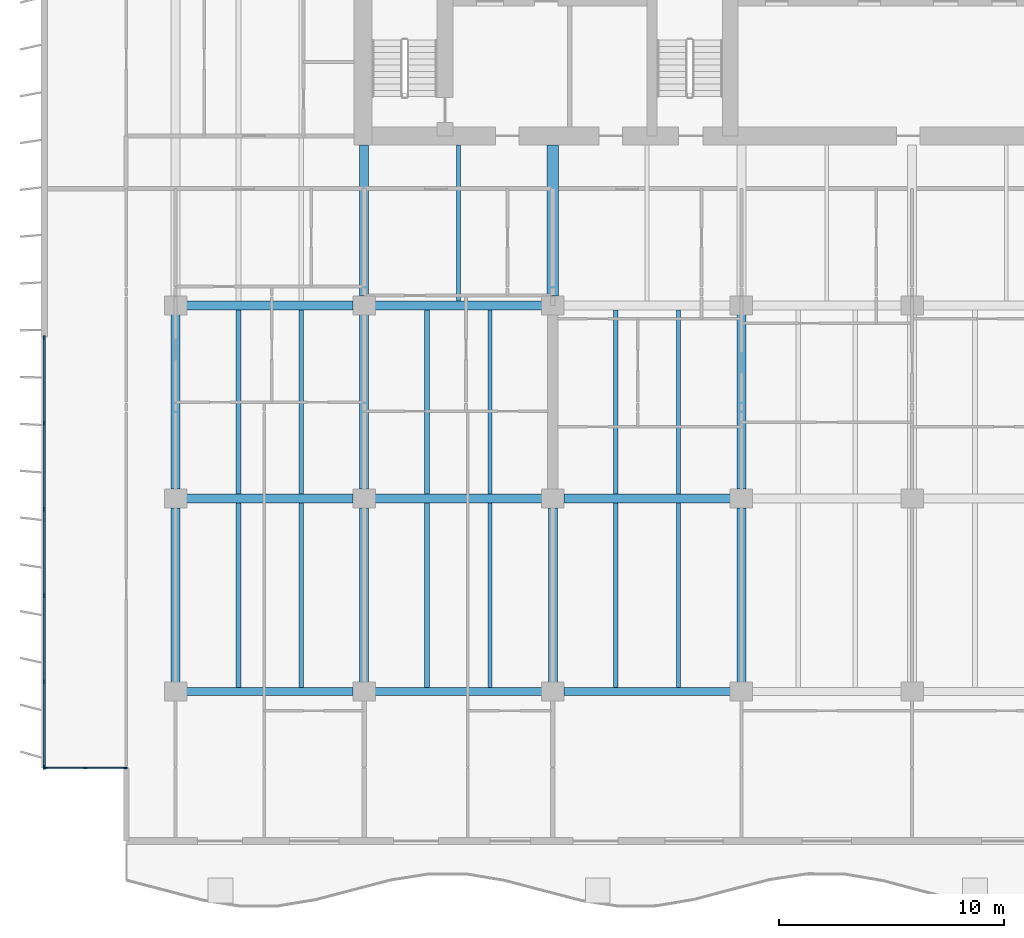
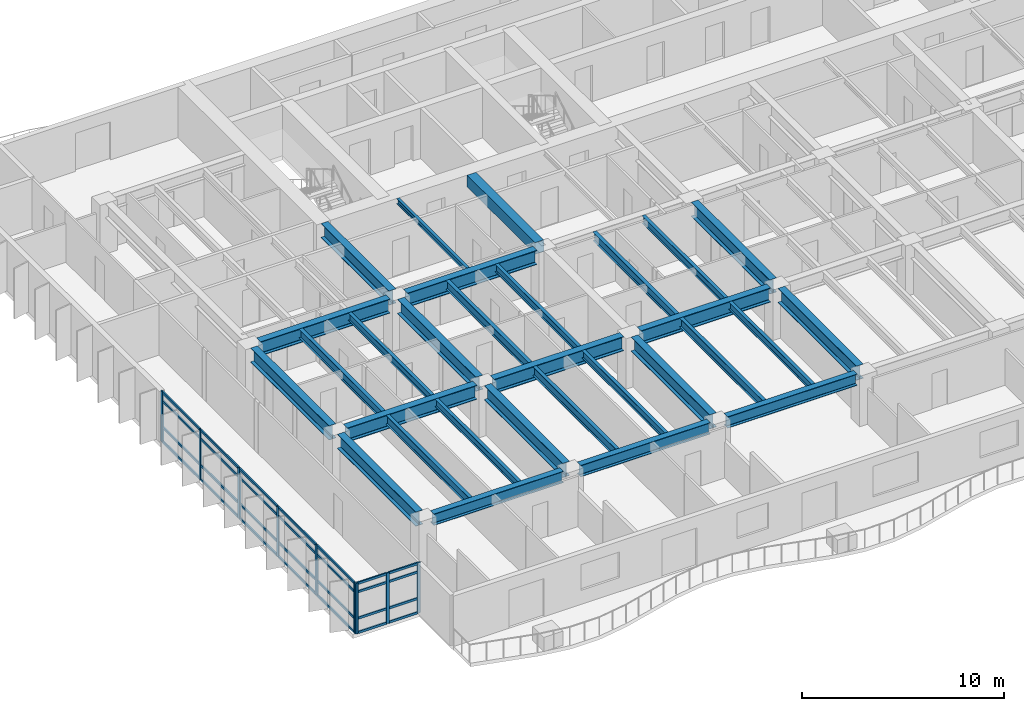
# One storey, part 2 of 17: 37 members, 30 beams, 2 elements without a shape of their own.
"""IFC4 building model written with IfcOpenShell, lengths in metres."""

from ifc_helpers import new_model, si_unit, direction, frame, origin, origin_2d, place, context, subcontext, project, spatial, rectangle, i_section, extrude, material, layer, layer_set, material_profile, profile_set, type_object, element, aggregate, save


model = new_model("IFC4")

# Units and contexts
model_context = context("Model", 3, precision=1e-05, world=origin(), true_north=direction((0.0, 1.0)))
body_context = subcontext(model_context, "Body", "Model", "MODEL_VIEW")
ifc_project = project(units=[si_unit("LENGTHUNIT", "METRE"), si_unit("AREAUNIT", "SQUARE_METRE"), si_unit("VOLUMEUNIT", "CUBIC_METRE"), si_unit("PLANEANGLEUNIT", "RADIAN"), si_unit("MASSUNIT", "GRAM", prefix="KILO")], contexts=[model_context])

# Site, building, storey
site_placement = place(None, origin())
site = spatial("IfcSite", under=ifc_project, at=site_placement, CompositionType="ELEMENT")
building_placement = place(site_placement, origin())
building = spatial("IfcBuilding", under=site, at=building_placement, Name="Caelmar Bay Residences", CompositionType="ELEMENT")
storey_placement = place(building_placement, frame((0.0, 0.0, 105.89990234375)))
storey = spatial("IfcBuildingStorey", under=building, at=storey_placement, Name="L28", CompositionType="ELEMENT", Elevation=105.89990234375)

# Beams
ifc_material_1 = material(Name="Steel ASTM A992 Grade 50", Category="steel")
ifc_material_profile_1 = material_profile(ifc_material_1, i_section(OverallWidth=0.40087890625, OverallDepth=0.861083984375, WebThickness=0.019775390625, FlangeThickness=0.032470703125, FilletRadius=0.017822265625, at=origin_2d()), Name="W33X221")
ifc_profile_set_1 = profile_set([ifc_material_profile_1], Name="Steel ASTM A992 Grade 50")
beam_type_1 = type_object("IfcBeamType", Name="BM-GRD-W33X221", PredefinedType="BEAM", material=ifc_profile_set_1)
beam_1_placement = place(storey_placement, frame((10.389892578125, 20.800048828125, 2.61962890625), z_axis=(1.0, 0.0, 0.0), x_axis=(0.0, 1.0, 0.0)))
element("IfcBeam", 1, at=beam_1_placement, inside=storey, type_object=beam_type_1, Name="L28 East-West Girder Y=20.80 (9.9-18.3)", PredefinedType="BEAM", context=body_context, shape_type="SweptSolid", body=[
    extrude(i_section(OverallWidth=0.40087890625, OverallDepth=0.861083984375, WebThickness=0.019775390625, FlangeThickness=0.032470703125, FilletRadius=0.017822265625, at=origin_2d()), origin(), (0.0, 0.0, 1.0), 7.420166015625),
])
beam_2_placement = place(storey_placement, frame((18.7900390625, 20.800048828125, 2.61962890625), z_axis=(1.0, 0.0, 0.0), x_axis=(0.0, 1.0, 0.0)))
element("IfcBeam", 2, at=beam_2_placement, inside=storey, type_object=beam_type_1, Name="L28 East-West Girder Y=20.80 (18.3-26.7)", PredefinedType="BEAM", context=body_context, shape_type="SweptSolid", body=[
    extrude(i_section(OverallWidth=0.40087890625, OverallDepth=0.861083984375, WebThickness=0.019775390625, FlangeThickness=0.032470703125, FilletRadius=0.017822265625, at=origin_2d()), origin(), (0.0, 0.0, 1.0), 7.419921875),
])
for number, where, z_axis, x_axis, name in (
    (3, (27.18994140625, 20.800048828125, 2.61962890625), (1.0, 0.0, 0.0), (0.0, 1.0, 0.0), "L28 East-West Girder Y=20.80 (26.7-35.1)"),
    (4, (10.389892578125, 29.39990234375, 2.61962890625), (1.0, 0.0, 0.0), (0.0, 1.0, 0.0), "L28 East-West Girder Y=29.40 (9.9-18.3)"),
):
    element("IfcBeam", number, at=place(storey_placement, frame(where, z_axis=z_axis, x_axis=x_axis)), inside=storey, type_object=beam_type_1, Name=name, PredefinedType="BEAM", context=body_context, shape_type="SweptSolid", body=[
        extrude(i_section(OverallWidth=0.40087890625, OverallDepth=0.861083984375, WebThickness=0.019775390625, FlangeThickness=0.032470703125, FilletRadius=0.017822265625, at=origin_2d()), origin(), (0.0, 0.0, 1.0), 7.420166015625),
    ])
beam_3_placement = place(storey_placement, frame((18.7900390625, 29.39990234375, 2.61962890625), z_axis=(1.0, 0.0, 0.0), x_axis=(0.0, 1.0, 0.0)))
element("IfcBeam", 5, at=beam_3_placement, inside=storey, type_object=beam_type_1, Name="L28 East-West Girder Y=29.40 (18.3-26.7)", PredefinedType="BEAM", context=body_context, shape_type="SweptSolid", body=[
    extrude(i_section(OverallWidth=0.40087890625, OverallDepth=0.861083984375, WebThickness=0.019775390625, FlangeThickness=0.032470703125, FilletRadius=0.017822265625, at=origin_2d()), origin(), (0.0, 0.0, 1.0), 7.419921875),
])
for number, where, z_axis, x_axis, name in (
    (6, (9.89990234375, 12.614990234375, 2.61962890625), (0.0, 1.0, 0.0), (-1.0, 0.0, 0.0), "L28 North-South Girder X=9.90 (12.2-20.8)"),
    (7, (9.89990234375, 21.215087890625, 2.61962890625), (0.0, 1.0, 0.0), (-1.0, 0.0, 0.0), "L28 North-South Girder X=9.90 (20.8-29.4)"),
):
    element("IfcBeam", number, at=place(storey_placement, frame(where, z_axis=z_axis, x_axis=x_axis)), inside=storey, type_object=beam_type_1, Name=name, PredefinedType="BEAM", context=body_context, shape_type="SweptSolid", body=[
        extrude(i_section(OverallWidth=0.40087890625, OverallDepth=0.861083984375, WebThickness=0.019775390625, FlangeThickness=0.032470703125, FilletRadius=0.017822265625, at=origin_2d()), origin(), (0.0, 0.0, 1.0), 7.77001953125),
    ])
beam_4_placement = place(storey_placement, frame((18.300048828125, 29.81494140625, 2.61962890625), z_axis=(0.0, 1.0, 0.0), x_axis=(-1.0, 0.0, 0.0)))
element("IfcBeam", 8, at=beam_4_placement, inside=storey, type_object=beam_type_1, Name="L28 Core Tie Girder X=18.30", PredefinedType="BEAM", context=body_context, shape_type="SweptSolid", body=[
    extrude(i_section(OverallWidth=0.40087890625, OverallDepth=0.861083984375, WebThickness=0.019775390625, FlangeThickness=0.032470703125, FilletRadius=0.017822265625, at=origin_2d()), origin(), (0.0, 0.0, 1.0), 6.735107421875),
])
for number, where, z_axis, x_axis, name in (
    (9, (18.300048828125, 12.614990234375, 2.61962890625), (0.0, 1.0, 0.0), (-1.0, 0.0, 0.0), "L28 North-South Girder X=18.30 (12.2-20.8)"),
    (10, (18.300048828125, 21.215087890625, 2.61962890625), (0.0, 1.0, 0.0), (-1.0, 0.0, 0.0), "L28 North-South Girder X=18.30 (20.8-29.4)"),
    (11, (26.699951171875, 12.614990234375, 2.61962890625), (0.0, 1.0, 0.0), (-1.0, 0.0, 0.0), "L28 North-South Girder X=26.70 (12.2-20.8)"),
    (12, (35.10009765625, 12.614990234375, 2.61962890625), (0.0, 1.0, 0.0), (-1.0, 0.0, 0.0), "L28 North-South Girder X=35.10 (12.2-20.8)"),
    (13, (35.10009765625, 21.215087890625, 2.61962890625), (0.0, 1.0, 0.0), (-1.0, 0.0, 0.0), "L28 North-South Girder X=35.10 (20.8-29.4)"),
):
    element("IfcBeam", number, at=place(storey_placement, frame(where, z_axis=z_axis, x_axis=x_axis)), inside=storey, type_object=beam_type_1, Name=name, PredefinedType="BEAM", context=body_context, shape_type="SweptSolid", body=[
        extrude(i_section(OverallWidth=0.40087890625, OverallDepth=0.861083984375, WebThickness=0.019775390625, FlangeThickness=0.032470703125, FilletRadius=0.017822265625, at=origin_2d()), origin(), (0.0, 0.0, 1.0), 7.77001953125),
    ])
ifc_material_profile_2 = material_profile(ifc_material_1, i_section(OverallWidth=0.1650390625, OverallDepth=0.31005859375, WebThickness=0.005859375, FlangeThickness=0.009765625, FilletRadius=0.007568359375, at=origin_2d()), Name="W12X26")
ifc_profile_set_2 = profile_set([ifc_material_profile_2], Name="Steel ASTM A992 Grade 50")
beam_type_2 = type_object("IfcBeamType", Name="BM-JST-W12X26", PredefinedType="JOIST", material=ifc_profile_set_2)
beam_5_placement = place(storey_placement, frame((22.5, 29.6005859375, 2.89501953125), z_axis=(0.0, 1.0, 0.0), x_axis=(-1.0, 0.0, 0.0)))
element("IfcBeam", 14, at=beam_5_placement, inside=storey, type_object=beam_type_2, Name="L28 Core-Band Composite Joist 29", PredefinedType="JOIST", context=body_context, shape_type="SweptSolid", body=[
    extrude(i_section(OverallWidth=0.1650390625, OverallDepth=0.31005859375, WebThickness=0.005859375, FlangeThickness=0.009765625, FilletRadius=0.007568359375, at=origin_2d()), origin(), (0.0, 0.0, 1.0), 6.949462890625),
])
ifc_material_profile_3 = material_profile(ifc_material_1, i_section(OverallWidth=0.19091796875, OverallDepth=0.45703125, WebThickness=0.009033203125, FlangeThickness=0.014404296875, FilletRadius=0.01025390625, at=origin_2d()), Name="W18X50")
ifc_profile_set_3 = profile_set([ifc_material_profile_3], Name="Steel ASTM A992 Grade 50")
beam_type_3 = type_object("IfcBeamType", Name="BM-JST-W18X50", PredefinedType="JOIST", material=ifc_profile_set_3)
for number, where, z_axis, x_axis, name in (
    (15, (15.5, 12.3779296875, 2.821533203125), (0.0, 1.0, 0.0), (-1.0, 0.0, 0.0), "L28 Composite Floor Joist 2"),
    (16, (23.89990234375, 12.3779296875, 2.821533203125), (0.0, 1.0, 0.0), (-1.0, 0.0, 0.0), "L28 Composite Floor Joist 4"),
    (17, (32.300048828125, 12.3779296875, 2.821533203125), (0.0, 1.0, 0.0), (-1.0, 0.0, 0.0), "L28 Composite Floor Joist 6"),
):
    element("IfcBeam", number, at=place(storey_placement, frame(where, z_axis=z_axis, x_axis=x_axis)), inside=storey, type_object=beam_type_3, Name=name, PredefinedType="JOIST", context=body_context, shape_type="SweptSolid", body=[
        extrude(i_section(OverallWidth=0.19091796875, OverallDepth=0.45703125, WebThickness=0.009033203125, FlangeThickness=0.014404296875, FilletRadius=0.01025390625, at=origin_2d()), origin(), (0.0, 0.0, 1.0), 8.2216796875),
    ])
for number, where, z_axis, x_axis, name in (
    (18, (15.5, 21.00048828125, 2.821533203125), (0.0, 1.0, 0.0), (-1.0, 0.0, 0.0), "L28 Composite Floor Joist 16"),
    (19, (23.89990234375, 21.00048828125, 2.821533203125), (0.0, 1.0, 0.0), (-1.0, 0.0, 0.0), "L28 Composite Floor Joist 18"),
    (20, (32.300048828125, 21.00048828125, 2.821533203125), (0.0, 1.0, 0.0), (-1.0, 0.0, 0.0), "L28 Composite Floor Joist 20"),
):
    element("IfcBeam", number, at=place(storey_placement, frame(where, z_axis=z_axis, x_axis=x_axis)), inside=storey, type_object=beam_type_3, Name=name, PredefinedType="JOIST", context=body_context, shape_type="SweptSolid", body=[
        extrude(i_section(OverallWidth=0.19091796875, OverallDepth=0.45703125, WebThickness=0.009033203125, FlangeThickness=0.014404296875, FilletRadius=0.01025390625, at=origin_2d()), origin(), (0.0, 0.0, 1.0), 8.198974609375),
    ])
ifc_material_profile_4 = material_profile(ifc_material_1, i_section(OverallWidth=0.2099609375, OverallDepth=0.535888671875, WebThickness=0.010986328125, FlangeThickness=0.017333984375, FilletRadius=0.0126953125, at=origin_2d()), Name="W21X68")
ifc_profile_set_4 = profile_set([ifc_material_profile_4], Name="Steel ASTM A992 Grade 50")
beam_type_4 = type_object("IfcBeamType", Name="BM-JST-W21X68", PredefinedType="JOIST", material=ifc_profile_set_4)
for number, where, z_axis, x_axis, name in (
    (21, (12.699951171875, 12.3779296875, 2.781982421875), (0.0, 1.0, 0.0), (-1.0, 0.0, 0.0), "L28 Composite Floor Joist 1"),
    (22, (21.10009765625, 12.3779296875, 2.781982421875), (0.0, 1.0, 0.0), (-1.0, 0.0, 0.0), "L28 Composite Floor Joist 3"),
    (23, (29.5, 12.3779296875, 2.781982421875), (0.0, 1.0, 0.0), (-1.0, 0.0, 0.0), "L28 Composite Floor Joist 5"),
):
    element("IfcBeam", number, at=place(storey_placement, frame(where, z_axis=z_axis, x_axis=x_axis)), inside=storey, type_object=beam_type_4, Name=name, PredefinedType="JOIST", context=body_context, shape_type="SweptSolid", body=[
        extrude(i_section(OverallWidth=0.2099609375, OverallDepth=0.535888671875, WebThickness=0.010986328125, FlangeThickness=0.017333984375, FilletRadius=0.0126953125, at=origin_2d()), origin(), (0.0, 0.0, 1.0), 8.2216796875),
    ])
for number, where, z_axis, x_axis, name in (
    (24, (12.699951171875, 21.00048828125, 2.781982421875), (0.0, 1.0, 0.0), (-1.0, 0.0, 0.0), "L28 Composite Floor Joist 15"),
    (25, (21.10009765625, 21.00048828125, 2.781982421875), (0.0, 1.0, 0.0), (-1.0, 0.0, 0.0), "L28 Composite Floor Joist 17"),
    (26, (29.5, 21.00048828125, 2.781982421875), (0.0, 1.0, 0.0), (-1.0, 0.0, 0.0), "L28 Composite Floor Joist 19"),
):
    element("IfcBeam", number, at=place(storey_placement, frame(where, z_axis=z_axis, x_axis=x_axis)), inside=storey, type_object=beam_type_4, Name=name, PredefinedType="JOIST", context=body_context, shape_type="SweptSolid", body=[
        extrude(i_section(OverallWidth=0.2099609375, OverallDepth=0.535888671875, WebThickness=0.010986328125, FlangeThickness=0.017333984375, FilletRadius=0.0126953125, at=origin_2d()), origin(), (0.0, 0.0, 1.0), 8.198974609375),
    ])
ifc_material_2 = material(Name="Concrete f'c 55 MPa (8,000 psi)", Category="concrete")
ifc_material_profile_5 = material_profile(ifc_material_2, rectangle(XDim=0.5, YDim=0.699951171875, at=origin_2d()), Name="RC-BM-500X700")
ifc_profile_set_5 = profile_set([ifc_material_profile_5], Name="Concrete f'c 55 MPa (8,000 psi)")
beam_type_5 = type_object("IfcBeamType", Name="BM-RC-500X700", PredefinedType="LINTEL", material=ifc_profile_set_5)
beam_6_placement = place(storey_placement, frame((26.699951171875, 29.81494140625, 2.7001953125), z_axis=(0.0, 1.0, 0.0), x_axis=(-1.0, 0.0, 0.0)))
element("IfcBeam", 27, at=beam_6_placement, inside=storey, type_object=beam_type_5, Name="L28 Shear-Wall Corridor Coupling Lintel W5", PredefinedType="LINTEL", context=body_context, shape_type="SweptSolid", body=[
    extrude(rectangle(XDim=0.5, YDim=0.699951171875, at=origin_2d()), origin(), (0.0, 0.0, 1.0), 6.735107421875),
])
ifc_material_profile_6 = material_profile(ifc_material_1, i_section(OverallWidth=0.35595703125, OverallDepth=0.696044921875, WebThickness=0.015380859375, FlangeThickness=0.02490234375, FilletRadius=0.01513671875, at=origin_2d()), Name="W27X146")
ifc_profile_set_6 = profile_set([ifc_material_profile_6], Name="Steel ASTM A992 Grade 50")
beam_type_6 = type_object("IfcBeamType", Name="BM-SPN-W27X146", PredefinedType="SPANDREL", material=ifc_profile_set_6)
beam_7_placement = place(storey_placement, frame((10.389892578125, 12.199951171875, 2.7021484375), z_axis=(1.0, 0.0, 0.0), x_axis=(0.0, 1.0, 0.0)))
element("IfcBeam", 28, at=beam_7_placement, inside=storey, type_object=beam_type_6, Name="L28 East-West Girder Y=12.20 (9.9-18.3)", PredefinedType="SPANDREL", context=body_context, shape_type="SweptSolid", body=[
    extrude(i_section(OverallWidth=0.35595703125, OverallDepth=0.696044921875, WebThickness=0.015380859375, FlangeThickness=0.02490234375, FilletRadius=0.01513671875, at=origin_2d()), origin(), (0.0, 0.0, 1.0), 7.420166015625),
])
beam_8_placement = place(storey_placement, frame((18.7900390625, 12.199951171875, 2.7021484375), z_axis=(1.0, 0.0, 0.0), x_axis=(0.0, 1.0, 0.0)))
element("IfcBeam", 29, at=beam_8_placement, inside=storey, type_object=beam_type_6, Name="L28 East-West Girder Y=12.20 (18.3-26.7)", PredefinedType="SPANDREL", context=body_context, shape_type="SweptSolid", body=[
    extrude(i_section(OverallWidth=0.35595703125, OverallDepth=0.696044921875, WebThickness=0.015380859375, FlangeThickness=0.02490234375, FilletRadius=0.01513671875, at=origin_2d()), origin(), (0.0, 0.0, 1.0), 7.419921875),
])
beam_9_placement = place(storey_placement, frame((27.18994140625, 12.199951171875, 2.7021484375), z_axis=(1.0, 0.0, 0.0), x_axis=(0.0, 1.0, 0.0)))
element("IfcBeam", 30, at=beam_9_placement, inside=storey, type_object=beam_type_6, Name="L28 East-West Girder Y=12.20 (26.7-35.1)", PredefinedType="SPANDREL", context=body_context, shape_type="SweptSolid", body=[
    extrude(i_section(OverallWidth=0.35595703125, OverallDepth=0.696044921875, WebThickness=0.015380859375, FlangeThickness=0.02490234375, FilletRadius=0.01513671875, at=origin_2d()), origin(), (0.0, 0.0, 1.0), 7.420166015625),
])

# Curtain wall, members
ifc_material_3 = material(Name="Anodised bronze aluminium 6063-T6 and laminated glass", Category="aluminium")
ifc_layer_1 = layer(ifc_material_3, 0.179931640625)
ifc_layer_set_1 = layer_set([ifc_layer_1], Name="Anodised bronze aluminium 6063-T6 and laminated glass")
curtain_wall_type_1 = type_object("IfcCurtainWallType", Name="CW6-NTC", PredefinedType="NOTDEFINED", material=ifc_layer_set_1)
curtain_wall_1_placement = place(storey_placement, origin())
curtain_wall_1 = element("IfcCurtainWall", 31, at=curtain_wall_1_placement, inside=storey, type_object=curtain_wall_type_1, Name="CW6 curtain wall L28", PredefinedType="NOTDEFINED")
ifc_material_4 = material(Name="Anodised bronze aluminium 6063-T6", Category="aluminium")
ifc_material_profile_7 = material_profile(ifc_material_4, rectangle(XDim=0.080078125, YDim=0.179931640625, at=origin_2d()), Name="CWM-80X180")
ifc_profile_set_7 = profile_set([ifc_material_profile_7], Name="Anodised bronze aluminium 6063-T6")
member_type_1 = type_object("IfcMemberType", Name="CWM-180", PredefinedType="MULLION", material=ifc_profile_set_7)
member_1_placement = place(storey_placement, frame((4.090087890625, 8.800048828125, 0.0), z_axis=(0.0, 0.0, 1.0), x_axis=(0.0, 1.0, 0.0)))
member_1 = element("IfcMember", 32, at=member_1_placement, type_object=member_type_1, Name="CW6 mullion 1", PredefinedType="MULLION", context=body_context, shape_type="SweptSolid", body=[
    extrude(rectangle(XDim=0.080078125, YDim=0.179931640625, at=origin_2d()), origin(), (0.0, 0.0, 1.0), 3.050048828125),
])
member_2_placement = place(storey_placement, frame((5.875, 8.800048828125, 0.0), z_axis=(0.0, 0.0, 1.0), x_axis=(0.0, 1.0, 0.0)))
member_2 = element("IfcMember", 33, at=member_2_placement, type_object=member_type_1, Name="CW6 mullion 2", PredefinedType="MULLION", context=body_context, shape_type="SweptSolid", body=[
    extrude(rectangle(XDim=0.080078125, YDim=0.179931640625, at=origin_2d()), origin(), (0.0, 0.0, 1.0), 3.050048828125),
])
member_3_placement = place(storey_placement, frame((7.659912109375, 8.800048828125, 0.0), z_axis=(0.0, 0.0, 1.0), x_axis=(0.0, 1.0, 0.0)))
member_3 = element("IfcMember", 34, at=member_3_placement, type_object=member_type_1, Name="CW6 mullion 3", PredefinedType="MULLION", context=body_context, shape_type="SweptSolid", body=[
    extrude(rectangle(XDim=0.080078125, YDim=0.179931640625, at=origin_2d()), origin(), (0.0, 0.0, 1.0), 3.050048828125),
])

ifc_layer_2 = layer(ifc_material_3, 0.179931640625)
ifc_layer_set_2 = layer_set([ifc_layer_2], Name="Anodised bronze aluminium 6063-T6 and laminated glass")
curtain_wall_type_2 = type_object("IfcCurtainWallType", Name="CW3-Z2", PredefinedType="NOTDEFINED", material=ifc_layer_set_2)
curtain_wall_2_placement = place(storey_placement, origin())
curtain_wall_2 = element("IfcCurtainWall", 35, at=curtain_wall_2_placement, inside=storey, type_object=curtain_wall_type_2, Name="CW3 curtain wall L28", PredefinedType="NOTDEFINED")
member_4_placement = place(storey_placement, frame((4.050048828125, 8.840087890625, 0.0), z_axis=(0.0, 0.0, 1.0), x_axis=(-1.0, 0.0, 0.0)))
member_4 = element("IfcMember", 36, at=member_4_placement, type_object=member_type_1, Name="CW3 mullion 1", PredefinedType="MULLION", context=body_context, shape_type="SweptSolid", body=[
    extrude(rectangle(XDim=0.080078125, YDim=0.179931640625, at=origin_2d()), origin(), (0.0, 0.0, 1.0), 3.050048828125),
])
member_5_placement = place(storey_placement, frame((4.050048828125, 12.639892578125, 0.0), z_axis=(0.0, 0.0, 1.0), x_axis=(-1.0, 0.0, 0.0)))
member_5 = element("IfcMember", 37, at=member_5_placement, type_object=member_type_1, Name="CW3 mullion 2", PredefinedType="MULLION", context=body_context, shape_type="SweptSolid", body=[
    extrude(rectangle(XDim=0.080078125, YDim=0.179931640625, at=origin_2d()), origin(), (0.0, 0.0, 1.0), 3.050048828125),
])
member_6_placement = place(storey_placement, frame((4.050048828125, 16.47998046875, 0.0), z_axis=(0.0, 0.0, 1.0), x_axis=(-1.0, 0.0, 0.0)))
member_6 = element("IfcMember", 38, at=member_6_placement, type_object=member_type_1, Name="CW3 mullion 3", PredefinedType="MULLION", context=body_context, shape_type="SweptSolid", body=[
    extrude(rectangle(XDim=0.080078125, YDim=0.179931640625, at=origin_2d()), origin(), (0.0, 0.0, 1.0), 3.050048828125),
])
member_7_placement = place(storey_placement, frame((4.050048828125, 20.320068359375, 0.0), z_axis=(0.0, 0.0, 1.0), x_axis=(-1.0, 0.0, 0.0)))
member_7 = element("IfcMember", 39, at=member_7_placement, type_object=member_type_1, Name="CW3 mullion 4", PredefinedType="MULLION", context=body_context, shape_type="SweptSolid", body=[
    extrude(rectangle(XDim=0.080078125, YDim=0.179931640625, at=origin_2d()), origin(), (0.0, 0.0, 1.0), 3.050048828125),
])
member_8_placement = place(storey_placement, frame((4.050048828125, 24.159912109375, 0.0), z_axis=(0.0, 0.0, 1.0), x_axis=(-1.0, 0.0, 0.0)))
member_8 = element("IfcMember", 40, at=member_8_placement, type_object=member_type_1, Name="CW3 mullion 5", PredefinedType="MULLION", context=body_context, shape_type="SweptSolid", body=[
    extrude(rectangle(XDim=0.080078125, YDim=0.179931640625, at=origin_2d()), origin(), (0.0, 0.0, 1.0), 3.050048828125),
])
member_9_placement = place(storey_placement, frame((4.050048828125, 27.9599609375, 0.0), z_axis=(0.0, 0.0, 1.0), x_axis=(-1.0, 0.0, 0.0)))
member_9 = element("IfcMember", 41, at=member_9_placement, type_object=member_type_1, Name="CW3 mullion 6", PredefinedType="MULLION", context=body_context, shape_type="SweptSolid", body=[
    extrude(rectangle(XDim=0.080078125, YDim=0.179931640625, at=origin_2d()), origin(), (0.0, 0.0, 1.0), 3.050048828125),
])

# Member
ifc_material_profile_8 = material_profile(ifc_material_4, rectangle(XDim=0.080078125, YDim=0.139892578125, at=origin_2d()), Name="CWT-80X140")
ifc_profile_set_8 = profile_set([ifc_material_profile_8], Name="Anodised bronze aluminium 6063-T6")
member_type_2 = type_object("IfcMemberType", Name="CWT-140", PredefinedType="NOTDEFINED", material=ifc_profile_set_8)
member_10_placement = place(storey_placement, frame((4.1298828125, 8.800048828125, 0.0400390625), z_axis=(1.0, 0.0, 0.0), x_axis=(0.0, 1.0, 0.0)))
member_10 = element("IfcMember", 42, at=member_10_placement, type_object=member_type_2, Name="CW6 transom 1.1", ObjectType="TRANSOM", PredefinedType="USERDEFINED", context=body_context, shape_type="SweptSolid", body=[
    extrude(rectangle(XDim=0.080078125, YDim=0.139892578125, at=origin_2d()), origin(), (0.0, 0.0, 1.0), 1.705078125),
])

member_11_placement = place(storey_placement, frame((4.1298828125, 8.800048828125, 0.900146484375), z_axis=(1.0, 0.0, 0.0), x_axis=(0.0, 1.0, 0.0)))
member_11 = element("IfcMember", 43, at=member_11_placement, type_object=member_type_2, Name="CW6 transom 1.2", ObjectType="TRANSOM", PredefinedType="USERDEFINED", context=body_context, shape_type="SweptSolid", body=[
    extrude(rectangle(XDim=0.080078125, YDim=0.139892578125, at=origin_2d()), origin(), (0.0, 0.0, 1.0), 1.705078125),
])

member_12_placement = place(storey_placement, frame((4.1298828125, 8.800048828125, 2.5), z_axis=(1.0, 0.0, 0.0), x_axis=(0.0, 1.0, 0.0)))
member_12 = element("IfcMember", 44, at=member_12_placement, type_object=member_type_2, Name="CW6 transom 1.3", ObjectType="TRANSOM", PredefinedType="USERDEFINED", context=body_context, shape_type="SweptSolid", body=[
    extrude(rectangle(XDim=0.080078125, YDim=0.139892578125, at=origin_2d()), origin(), (0.0, 0.0, 1.0), 1.705078125),
])

member_13_placement = place(storey_placement, frame((4.1298828125, 8.800048828125, 3.010009765625), z_axis=(1.0, 0.0, 0.0), x_axis=(0.0, 1.0, 0.0)))
member_13 = element("IfcMember", 45, at=member_13_placement, type_object=member_type_2, Name="CW6 transom 1.4", ObjectType="TRANSOM", PredefinedType="USERDEFINED", context=body_context, shape_type="SweptSolid", body=[
    extrude(rectangle(XDim=0.080078125, YDim=0.139892578125, at=origin_2d()), origin(), (0.0, 0.0, 1.0), 1.705078125),
])

member_14_placement = place(storey_placement, frame((5.9150390625, 8.800048828125, 0.0400390625), z_axis=(1.0, 0.0, 0.0), x_axis=(0.0, 1.0, 0.0)))
member_14 = element("IfcMember", 46, at=member_14_placement, type_object=member_type_2, Name="CW6 transom 2.1", ObjectType="TRANSOM", PredefinedType="USERDEFINED", context=body_context, shape_type="SweptSolid", body=[
    extrude(rectangle(XDim=0.080078125, YDim=0.139892578125, at=origin_2d()), origin(), (0.0, 0.0, 1.0), 1.705078125),
])

member_15_placement = place(storey_placement, frame((5.9150390625, 8.800048828125, 0.900146484375), z_axis=(1.0, 0.0, 0.0), x_axis=(0.0, 1.0, 0.0)))
member_15 = element("IfcMember", 47, at=member_15_placement, type_object=member_type_2, Name="CW6 transom 2.2", ObjectType="TRANSOM", PredefinedType="USERDEFINED", context=body_context, shape_type="SweptSolid", body=[
    extrude(rectangle(XDim=0.080078125, YDim=0.139892578125, at=origin_2d()), origin(), (0.0, 0.0, 1.0), 1.705078125),
])

member_16_placement = place(storey_placement, frame((5.9150390625, 8.800048828125, 2.5), z_axis=(1.0, 0.0, 0.0), x_axis=(0.0, 1.0, 0.0)))
member_16 = element("IfcMember", 48, at=member_16_placement, type_object=member_type_2, Name="CW6 transom 2.3", ObjectType="TRANSOM", PredefinedType="USERDEFINED", context=body_context, shape_type="SweptSolid", body=[
    extrude(rectangle(XDim=0.080078125, YDim=0.139892578125, at=origin_2d()), origin(), (0.0, 0.0, 1.0), 1.705078125),
])

member_17_placement = place(storey_placement, frame((5.9150390625, 8.800048828125, 3.010009765625), z_axis=(1.0, 0.0, 0.0), x_axis=(0.0, 1.0, 0.0)))
member_17 = element("IfcMember", 49, at=member_17_placement, type_object=member_type_2, Name="CW6 transom 2.4", ObjectType="TRANSOM", PredefinedType="USERDEFINED", context=body_context, shape_type="SweptSolid", body=[
    extrude(rectangle(XDim=0.080078125, YDim=0.139892578125, at=origin_2d()), origin(), (0.0, 0.0, 1.0), 1.705078125),
])

aggregate(curtain_wall_1, [member_1, member_2, member_3, member_10, member_11, member_12, member_13, member_14, member_15, member_16, member_17])

member_18_placement = place(storey_placement, frame((4.050048828125, 8.8798828125, 0.0400390625), z_axis=(0.0, 1.0, 0.0), x_axis=(-1.0, 0.0, 0.0)))
member_18 = element("IfcMember", 50, at=member_18_placement, type_object=member_type_2, Name="CW3 transom 1.1", ObjectType="TRANSOM", PredefinedType="USERDEFINED", context=body_context, shape_type="SweptSolid", body=[
    extrude(rectangle(XDim=0.080078125, YDim=0.139892578125, at=origin_2d()), origin(), (0.0, 0.0, 1.0), 3.72021484375),
])

member_19_placement = place(storey_placement, frame((4.050048828125, 8.8798828125, 0.900146484375), z_axis=(0.0, 1.0, 0.0), x_axis=(-1.0, 0.0, 0.0)))
member_19 = element("IfcMember", 51, at=member_19_placement, type_object=member_type_2, Name="CW3 transom 1.2", ObjectType="TRANSOM", PredefinedType="USERDEFINED", context=body_context, shape_type="SweptSolid", body=[
    extrude(rectangle(XDim=0.080078125, YDim=0.139892578125, at=origin_2d()), origin(), (0.0, 0.0, 1.0), 3.72021484375),
])

member_20_placement = place(storey_placement, frame((4.050048828125, 8.8798828125, 2.5), z_axis=(0.0, 1.0, 0.0), x_axis=(-1.0, 0.0, 0.0)))
member_20 = element("IfcMember", 52, at=member_20_placement, type_object=member_type_2, Name="CW3 transom 1.3", ObjectType="TRANSOM", PredefinedType="USERDEFINED", context=body_context, shape_type="SweptSolid", body=[
    extrude(rectangle(XDim=0.080078125, YDim=0.139892578125, at=origin_2d()), origin(), (0.0, 0.0, 1.0), 3.72021484375),
])

member_21_placement = place(storey_placement, frame((4.050048828125, 8.8798828125, 3.010009765625), z_axis=(0.0, 1.0, 0.0), x_axis=(-1.0, 0.0, 0.0)))
member_21 = element("IfcMember", 53, at=member_21_placement, type_object=member_type_2, Name="CW3 transom 1.4", ObjectType="TRANSOM", PredefinedType="USERDEFINED", context=body_context, shape_type="SweptSolid", body=[
    extrude(rectangle(XDim=0.080078125, YDim=0.139892578125, at=origin_2d()), origin(), (0.0, 0.0, 1.0), 3.72021484375),
])

member_22_placement = place(storey_placement, frame((4.050048828125, 12.679931640625, 0.0400390625), z_axis=(0.0, 1.0, 0.0), x_axis=(-1.0, 0.0, 0.0)))
member_22 = element("IfcMember", 54, at=member_22_placement, type_object=member_type_2, Name="CW3 transom 2.1", ObjectType="TRANSOM", PredefinedType="USERDEFINED", context=body_context, shape_type="SweptSolid", body=[
    extrude(rectangle(XDim=0.080078125, YDim=0.139892578125, at=origin_2d()), origin(), (0.0, 0.0, 1.0), 3.760009765625),
])

member_23_placement = place(storey_placement, frame((4.050048828125, 12.679931640625, 0.900146484375), z_axis=(0.0, 1.0, 0.0), x_axis=(-1.0, 0.0, 0.0)))
member_23 = element("IfcMember", 55, at=member_23_placement, type_object=member_type_2, Name="CW3 transom 2.2", ObjectType="TRANSOM", PredefinedType="USERDEFINED", context=body_context, shape_type="SweptSolid", body=[
    extrude(rectangle(XDim=0.080078125, YDim=0.139892578125, at=origin_2d()), origin(), (0.0, 0.0, 1.0), 3.760009765625),
])

member_24_placement = place(storey_placement, frame((4.050048828125, 12.679931640625, 2.5), z_axis=(0.0, 1.0, 0.0), x_axis=(-1.0, 0.0, 0.0)))
member_24 = element("IfcMember", 56, at=member_24_placement, type_object=member_type_2, Name="CW3 transom 2.3", ObjectType="TRANSOM", PredefinedType="USERDEFINED", context=body_context, shape_type="SweptSolid", body=[
    extrude(rectangle(XDim=0.080078125, YDim=0.139892578125, at=origin_2d()), origin(), (0.0, 0.0, 1.0), 3.760009765625),
])

member_25_placement = place(storey_placement, frame((4.050048828125, 12.679931640625, 3.010009765625), z_axis=(0.0, 1.0, 0.0), x_axis=(-1.0, 0.0, 0.0)))
member_25 = element("IfcMember", 57, at=member_25_placement, type_object=member_type_2, Name="CW3 transom 2.4", ObjectType="TRANSOM", PredefinedType="USERDEFINED", context=body_context, shape_type="SweptSolid", body=[
    extrude(rectangle(XDim=0.080078125, YDim=0.139892578125, at=origin_2d()), origin(), (0.0, 0.0, 1.0), 3.760009765625),
])

member_26_placement = place(storey_placement, frame((4.050048828125, 16.52001953125, 0.0400390625), z_axis=(0.0, 1.0, 0.0), x_axis=(-1.0, 0.0, 0.0)))
member_26 = element("IfcMember", 58, at=member_26_placement, type_object=member_type_2, Name="CW3 transom 3.1", ObjectType="TRANSOM", PredefinedType="USERDEFINED", context=body_context, shape_type="SweptSolid", body=[
    extrude(rectangle(XDim=0.080078125, YDim=0.139892578125, at=origin_2d()), origin(), (0.0, 0.0, 1.0), 3.760009765625),
])

member_27_placement = place(storey_placement, frame((4.050048828125, 16.52001953125, 0.900146484375), z_axis=(0.0, 1.0, 0.0), x_axis=(-1.0, 0.0, 0.0)))
member_27 = element("IfcMember", 59, at=member_27_placement, type_object=member_type_2, Name="CW3 transom 3.2", ObjectType="TRANSOM", PredefinedType="USERDEFINED", context=body_context, shape_type="SweptSolid", body=[
    extrude(rectangle(XDim=0.080078125, YDim=0.139892578125, at=origin_2d()), origin(), (0.0, 0.0, 1.0), 3.760009765625),
])

member_28_placement = place(storey_placement, frame((4.050048828125, 16.52001953125, 2.5), z_axis=(0.0, 1.0, 0.0), x_axis=(-1.0, 0.0, 0.0)))
member_28 = element("IfcMember", 60, at=member_28_placement, type_object=member_type_2, Name="CW3 transom 3.3", ObjectType="TRANSOM", PredefinedType="USERDEFINED", context=body_context, shape_type="SweptSolid", body=[
    extrude(rectangle(XDim=0.080078125, YDim=0.139892578125, at=origin_2d()), origin(), (0.0, 0.0, 1.0), 3.760009765625),
])

member_29_placement = place(storey_placement, frame((4.050048828125, 16.52001953125, 3.010009765625), z_axis=(0.0, 1.0, 0.0), x_axis=(-1.0, 0.0, 0.0)))
member_29 = element("IfcMember", 61, at=member_29_placement, type_object=member_type_2, Name="CW3 transom 3.4", ObjectType="TRANSOM", PredefinedType="USERDEFINED", context=body_context, shape_type="SweptSolid", body=[
    extrude(rectangle(XDim=0.080078125, YDim=0.139892578125, at=origin_2d()), origin(), (0.0, 0.0, 1.0), 3.760009765625),
])

member_30_placement = place(storey_placement, frame((4.050048828125, 20.360107421875, 0.0400390625), z_axis=(0.0, 1.0, 0.0), x_axis=(-1.0, 0.0, 0.0)))
member_30 = element("IfcMember", 62, at=member_30_placement, type_object=member_type_2, Name="CW3 transom 4.1", ObjectType="TRANSOM", PredefinedType="USERDEFINED", context=body_context, shape_type="SweptSolid", body=[
    extrude(rectangle(XDim=0.080078125, YDim=0.139892578125, at=origin_2d()), origin(), (0.0, 0.0, 1.0), 3.760009765625),
])

member_31_placement = place(storey_placement, frame((4.050048828125, 20.360107421875, 0.900146484375), z_axis=(0.0, 1.0, 0.0), x_axis=(-1.0, 0.0, 0.0)))
member_31 = element("IfcMember", 63, at=member_31_placement, type_object=member_type_2, Name="CW3 transom 4.2", ObjectType="TRANSOM", PredefinedType="USERDEFINED", context=body_context, shape_type="SweptSolid", body=[
    extrude(rectangle(XDim=0.080078125, YDim=0.139892578125, at=origin_2d()), origin(), (0.0, 0.0, 1.0), 3.760009765625),
])

member_32_placement = place(storey_placement, frame((4.050048828125, 20.360107421875, 2.5), z_axis=(0.0, 1.0, 0.0), x_axis=(-1.0, 0.0, 0.0)))
member_32 = element("IfcMember", 64, at=member_32_placement, type_object=member_type_2, Name="CW3 transom 4.3", ObjectType="TRANSOM", PredefinedType="USERDEFINED", context=body_context, shape_type="SweptSolid", body=[
    extrude(rectangle(XDim=0.080078125, YDim=0.139892578125, at=origin_2d()), origin(), (0.0, 0.0, 1.0), 3.760009765625),
])

member_33_placement = place(storey_placement, frame((4.050048828125, 20.360107421875, 3.010009765625), z_axis=(0.0, 1.0, 0.0), x_axis=(-1.0, 0.0, 0.0)))
member_33 = element("IfcMember", 65, at=member_33_placement, type_object=member_type_2, Name="CW3 transom 4.4", ObjectType="TRANSOM", PredefinedType="USERDEFINED", context=body_context, shape_type="SweptSolid", body=[
    extrude(rectangle(XDim=0.080078125, YDim=0.139892578125, at=origin_2d()), origin(), (0.0, 0.0, 1.0), 3.760009765625),
])

member_34_placement = place(storey_placement, frame((4.050048828125, 24.199951171875, 0.0400390625), z_axis=(0.0, 1.0, 0.0), x_axis=(-1.0, 0.0, 0.0)))
member_34 = element("IfcMember", 66, at=member_34_placement, type_object=member_type_2, Name="CW3 transom 5.1", ObjectType="TRANSOM", PredefinedType="USERDEFINED", context=body_context, shape_type="SweptSolid", body=[
    extrude(rectangle(XDim=0.080078125, YDim=0.139892578125, at=origin_2d()), origin(), (0.0, 0.0, 1.0), 3.719970703125),
])

member_35_placement = place(storey_placement, frame((4.050048828125, 24.199951171875, 0.900146484375), z_axis=(0.0, 1.0, 0.0), x_axis=(-1.0, 0.0, 0.0)))
member_35 = element("IfcMember", 67, at=member_35_placement, type_object=member_type_2, Name="CW3 transom 5.2", ObjectType="TRANSOM", PredefinedType="USERDEFINED", context=body_context, shape_type="SweptSolid", body=[
    extrude(rectangle(XDim=0.080078125, YDim=0.139892578125, at=origin_2d()), origin(), (0.0, 0.0, 1.0), 3.719970703125),
])

member_36_placement = place(storey_placement, frame((4.050048828125, 24.199951171875, 2.5), z_axis=(0.0, 1.0, 0.0), x_axis=(-1.0, 0.0, 0.0)))
member_36 = element("IfcMember", 68, at=member_36_placement, type_object=member_type_2, Name="CW3 transom 5.3", ObjectType="TRANSOM", PredefinedType="USERDEFINED", context=body_context, shape_type="SweptSolid", body=[
    extrude(rectangle(XDim=0.080078125, YDim=0.139892578125, at=origin_2d()), origin(), (0.0, 0.0, 1.0), 3.719970703125),
])

member_37_placement = place(storey_placement, frame((4.050048828125, 24.199951171875, 3.010009765625), z_axis=(0.0, 1.0, 0.0), x_axis=(-1.0, 0.0, 0.0)))
member_37 = element("IfcMember", 69, at=member_37_placement, type_object=member_type_2, Name="CW3 transom 5.4", ObjectType="TRANSOM", PredefinedType="USERDEFINED", context=body_context, shape_type="SweptSolid", body=[
    extrude(rectangle(XDim=0.080078125, YDim=0.139892578125, at=origin_2d()), origin(), (0.0, 0.0, 1.0), 3.719970703125),
])

aggregate(curtain_wall_2, [member_4, member_5, member_6, member_7, member_8, member_9, member_18, member_19, member_20, member_21, member_22, member_23, member_24, member_25, member_26, member_27, member_28, member_29, member_30, member_31, member_32, member_33, member_34, member_35, member_36, member_37])

save(model, "model.ifc")
